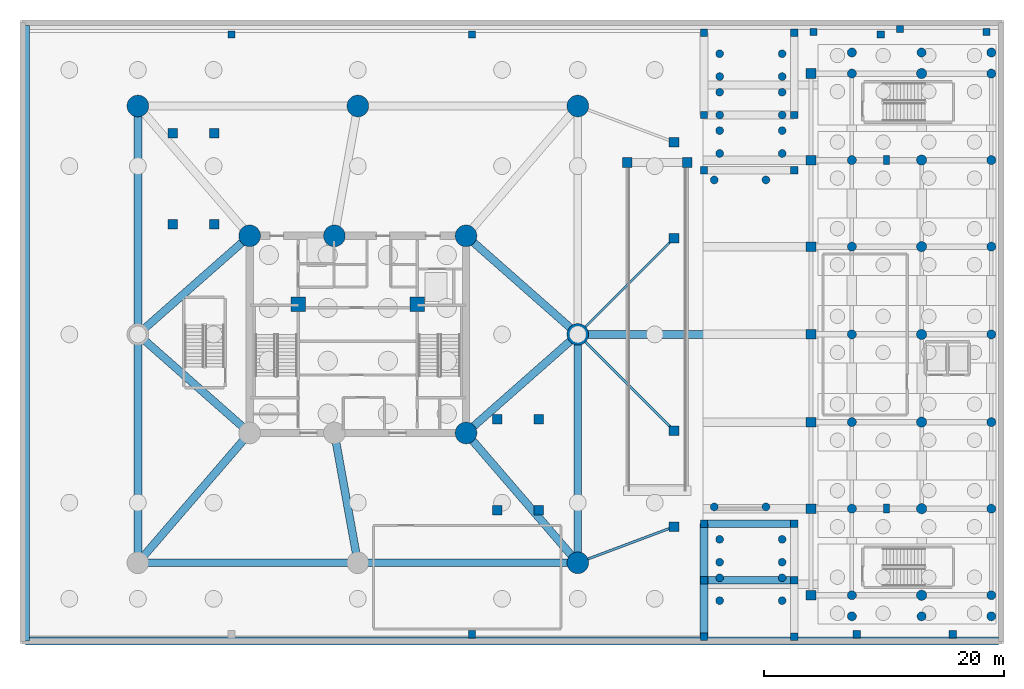
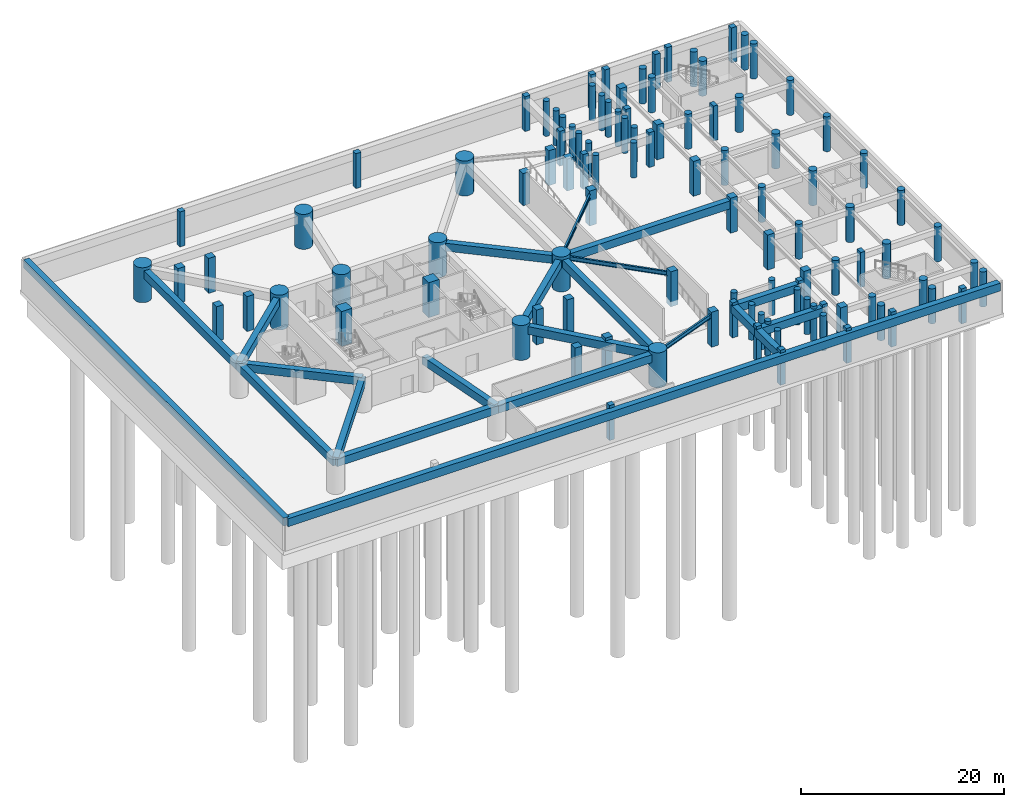
# One storey, part 2 of 13: 106 columns, 22 beams.
"""IFC4 building model written with IfcOpenShell, lengths in metres."""

from ifc_helpers import new_model, si_unit, direction, frame, origin, origin_with_axes, origin_2d, place, context, subcontext, project, spatial, rectangle, circle, i_section, extrude, source, transform, mapped, material, material_profile, profile_set, type_object, element, save


model = new_model("IFC4")

# Units and contexts
model_context = context("Model", 3, precision=1e-05, world=origin(), true_north=direction((0.0, 1.0)))
body_context = subcontext(model_context, "Body", "Model", "MODEL_VIEW")
ifc_project = project(units=[si_unit("LENGTHUNIT", "METRE"), si_unit("AREAUNIT", "SQUARE_METRE"), si_unit("VOLUMEUNIT", "CUBIC_METRE"), si_unit("PLANEANGLEUNIT", "RADIAN"), si_unit("MASSUNIT", "GRAM", prefix="KILO")], contexts=[model_context])

# Site, building, storey
site_placement = place(None, origin())
site = spatial("IfcSite", under=ifc_project, at=site_placement, CompositionType="ELEMENT")
building_placement = place(site_placement, origin())
building = spatial("IfcBuilding", under=site, at=building_placement, Name="Karkom Vertical University and Central Library", CompositionType="ELEMENT")
storey_placement = place(building_placement, frame((0.0, 0.0, -8.39990234375)))
storey = spatial("IfcBuildingStorey", under=building, at=storey_placement, Name="B02", CompositionType="ELEMENT", Elevation=-8.39990234375)

# Columns
ifc_material_1 = material(Name="Concrete C40/50", Category="concrete")
ifc_material_profile_1 = material_profile(ifc_material_1, circle(Radius=0.324951171875, at=origin_2d()), Name="RC-D650")
ifc_profile_set_1 = profile_set([ifc_material_profile_1], Name="Concrete C40/50")
column_type_1 = type_object("IfcColumnType", Name="STR-COL-C-LB3", PredefinedType="COLUMN", material=ifc_profile_set_1)
shared_shape_1 = source(origin_with_axes(), body_context, "Body", "SweptSolid", [
    extrude(circle(Radius=0.324951171875, at=origin_2d()), origin(), (0.0, 0.0, 1.0), 4.199951171875),
])
for number, where, z_axis, x_axis, name in (
    (1, (58.60009765625, 4.35009765625, 0.0), (0.0, 0.0, 1.0), (1.0, 0.0, 0.0), "Basement 02 Plaza Canopy Column 1"),
    (2, (58.60009765625, 6.25, 0.0), (0.0, 0.0, 1.0), (1.0, 0.0, 0.0), "Basement 02 Plaza Canopy Column 1"),
    (3, (63.800048828125, 4.35009765625, 0.0), (0.0, 0.0, 1.0), (1.0, 0.0, 0.0), "Basement 02 Plaza Canopy Column 1"),
    (4, (63.800048828125, 6.25, 0.0), (0.0, 0.0, 1.0), (1.0, 0.0, 0.0), "Basement 02 Plaza Canopy Column 1"),
    (5, (58.60009765625, 7.550048828125, 0.0), (0.0, 0.0, 1.0), (1.0, 0.0, 0.0), "Basement 02 Plaza Canopy Column 2"),
    (6, (58.60009765625, 9.449951171875, 0.0), (0.0, 0.0, 1.0), (1.0, 0.0, 0.0), "Basement 02 Plaza Canopy Column 2"),
    (7, (63.800048828125, 7.550048828125, 0.0), (0.0, 0.0, 1.0), (1.0, 0.0, 0.0), "Basement 02 Plaza Canopy Column 2"),
    (8, (63.800048828125, 9.449951171875, 0.0), (0.0, 0.0, 1.0), (1.0, 0.0, 0.0), "Basement 02 Plaza Canopy Column 2"),
    (9, (58.60009765625, 41.550048828125, 0.0), (0.0, 0.0, 1.0), (1.0, 0.0, 0.0), "Basement 02 Plaza Canopy Column 3"),
    (10, (58.60009765625, 43.449951171875, 0.0), (0.0, 0.0, 1.0), (1.0, 0.0, 0.0), "Basement 02 Plaza Canopy Column 3"),
    (11, (63.800048828125, 41.550048828125, 0.0), (0.0, 0.0, 1.0), (1.0, 0.0, 0.0), "Basement 02 Plaza Canopy Column 3"),
    (12, (63.800048828125, 43.449951171875, 0.0), (0.0, 0.0, 1.0), (1.0, 0.0, 0.0), "Basement 02 Plaza Canopy Column 3"),
    (13, (58.60009765625, 44.75, 0.0), (0.0, 0.0, 1.0), (1.0, 0.0, 0.0), "Basement 02 Plaza Canopy Column 4"),
    (14, (58.60009765625, 46.64990234375, 0.0), (0.0, 0.0, 1.0), (1.0, 0.0, 0.0), "Basement 02 Plaza Canopy Column 4"),
    (15, (63.800048828125, 44.75, 0.0), (0.0, 0.0, 1.0), (1.0, 0.0, 0.0), "Basement 02 Plaza Canopy Column 4"),
    (16, (63.800048828125, 46.64990234375, 0.0), (0.0, 0.0, 1.0), (1.0, 0.0, 0.0), "Basement 02 Plaza Canopy Column 4"),
    (17, (58.60009765625, 47.949951171875, 0.0), (0.0, 0.0, 1.0), (1.0, 0.0, 0.0), "Basement 02 Plaza Canopy Column 5"),
    (18, (58.60009765625, 49.85009765625, 0.0), (0.0, 0.0, 1.0), (1.0, 0.0, 0.0), "Basement 02 Plaza Canopy Column 5"),
    (19, (63.800048828125, 47.949951171875, 0.0), (0.0, 0.0, 1.0), (1.0, 0.0, 0.0), "Basement 02 Plaza Canopy Column 5"),
    (20, (63.800048828125, 49.85009765625, 0.0), (0.0, 0.0, 1.0), (1.0, 0.0, 0.0), "Basement 02 Plaza Canopy Column 5"),
    (21, (58.14990234375, 12.14990234375, 0.0), (0.0, 0.0, 1.0), (1.0, 0.0, 0.0), "Basement 02 Ramp Pavilion Support Column 1"),
    (22, (62.449951171875, 12.14990234375, 0.0), (0.0, 0.0, 1.0), (1.0, 0.0, 0.0), "Basement 02 Ramp Pavilion Support Column 2"),
    (23, (62.449951171875, 39.35009765625, 0.0), (0.0, 0.0, 1.0), (1.0, 0.0, 0.0), "Basement 02 Ramp Pavilion Support Column 3"),
    (24, (58.14990234375, 39.35009765625, 0.0), (0.0, 0.0, 1.0), (1.0, 0.0, 0.0), "Basement 02 Ramp Pavilion Support Column 4"),
):
    element("IfcColumn", number, at=place(storey_placement, frame(where, z_axis=z_axis, x_axis=x_axis)), inside=storey, type_object=column_type_1, Name=name, PredefinedType="COLUMN", context=body_context, shape_type="MappedRepresentation", body=[
        mapped(shared_shape_1, transform((0.0, 0.0, 0.0), scale=1.0)),
    ])
ifc_material_profile_2 = material_profile(ifc_material_1, circle(Radius=0.375, at=origin_2d()), Name="RC-D750")
ifc_profile_set_2 = profile_set([ifc_material_profile_2], Name="Concrete C40/50")
column_type_2 = type_object("IfcColumnType", Name="STR-COL-C-LB2", PredefinedType="COLUMN", material=ifc_profile_set_2)
shared_shape_2 = source(origin_with_axes(), body_context, "Body", "SweptSolid", [
    extrude(circle(Radius=0.375, at=origin_2d()), origin(), (0.0, 0.0, 1.0), 4.199951171875),
])
for number, where, z_axis, x_axis, name in (
    (25, (69.60009765625, 3.050048828125, 0.0), (0.0, 0.0, 1.0), (1.0, 0.0, 0.0), "Basement 02 Library Vault End Column"),
    (26, (69.60009765625, 49.949951171875, 0.0), (0.0, 0.0, 1.0), (1.0, 0.0, 0.0), "Basement 02 Library Vault End Column"),
    (27, (75.39990234375, 3.050048828125, 0.0), (0.0, 0.0, 1.0), (1.0, 0.0, 0.0), "Basement 02 Library Vault End Column"),
    (28, (75.39990234375, 49.949951171875, 0.0), (0.0, 0.0, 1.0), (1.0, 0.0, 0.0), "Basement 02 Library Vault End Column"),
    (29, (81.199951171875, 3.050048828125, 0.0), (0.0, 0.0, 1.0), (1.0, 0.0, 0.0), "Basement 02 Library Vault End Column"),
    (30, (81.199951171875, 49.949951171875, 0.0), (0.0, 0.0, 1.0), (1.0, 0.0, 0.0), "Basement 02 Library Vault End Column"),
    (31, (69.60009765625, 4.800048828125, 0.0), (0.0, 0.0, 1.0), (1.0, 0.0, 0.0), "Basement 02 Central Library Column LC-1-1"),
    (32, (69.60009765625, 12.0, 0.0), (0.0, 0.0, 1.0), (1.0, 0.0, 0.0), "Basement 02 Central Library Column LC-1-2"),
    (33, (69.60009765625, 19.199951171875, 0.0), (0.0, 0.0, 1.0), (1.0, 0.0, 0.0), "Basement 02 Central Library Column LC-1-3"),
    (34, (69.60009765625, 26.5, 0.0), (0.0, 0.0, 1.0), (1.0, 0.0, 0.0), "Basement 02 Central Library Column LC-1-4"),
    (35, (69.60009765625, 33.800048828125, 0.0), (0.0, 0.0, 1.0), (1.0, 0.0, 0.0), "Basement 02 Central Library Column LC-1-5"),
    (36, (69.60009765625, 41.0, 0.0), (0.0, 0.0, 1.0), (1.0, 0.0, 0.0), "Basement 02 Central Library Column LC-1-6"),
    (37, (69.60009765625, 48.199951171875, 0.0), (0.0, 0.0, 1.0), (1.0, 0.0, 0.0), "Basement 02 Central Library Column LC-1-7"),
    (38, (81.199951171875, 4.800048828125, 0.0), (0.0, 0.0, 1.0), (1.0, 0.0, 0.0), "Basement 02 Central Library Column LC-3-1"),
    (39, (81.199951171875, 12.0, 0.0), (0.0, 0.0, 1.0), (1.0, 0.0, 0.0), "Basement 02 Central Library Column LC-3-2"),
    (40, (81.199951171875, 19.199951171875, 0.0), (0.0, 0.0, 1.0), (1.0, 0.0, 0.0), "Basement 02 Central Library Column LC-3-3"),
    (41, (81.199951171875, 26.5, 0.0), (0.0, 0.0, 1.0), (1.0, 0.0, 0.0), "Basement 02 Central Library Column LC-3-4"),
    (42, (81.199951171875, 33.800048828125, 0.0), (0.0, 0.0, 1.0), (1.0, 0.0, 0.0), "Basement 02 Central Library Column LC-3-5"),
    (43, (81.199951171875, 41.0, 0.0), (0.0, 0.0, 1.0), (1.0, 0.0, 0.0), "Basement 02 Central Library Column LC-3-6"),
    (44, (81.199951171875, 48.199951171875, 0.0), (0.0, 0.0, 1.0), (1.0, 0.0, 0.0), "Basement 02 Central Library Column LC-3-7"),
):
    element("IfcColumn", number, at=place(storey_placement, frame(where, z_axis=z_axis, x_axis=x_axis)), inside=storey, type_object=column_type_2, Name=name, PredefinedType="COLUMN", context=body_context, shape_type="MappedRepresentation", body=[
        mapped(shared_shape_2, transform((0.0, 0.0, 0.0), scale=1.0)),
    ])
ifc_material_2 = material(Name="Concrete C45/55", Category="concrete")
ifc_material_profile_3 = material_profile(ifc_material_2, rectangle(XDim=0.800048828125, YDim=0.800048828125, at=origin_2d()), Name="RC-800x800")
ifc_profile_set_3 = profile_set([ifc_material_profile_3], Name="Concrete C45/55")
column_type_3 = type_object("IfcColumnType", Name="STR-COL-C-LC1", PredefinedType="COLUMN", material=ifc_profile_set_3)
shared_shape_3 = source(origin_with_axes(), body_context, "Body", "SweptSolid", [
    extrude(rectangle(XDim=0.800048828125, YDim=0.800048828125, at=origin_2d()), origin(), (0.0, 0.0, 1.0), 3.849853515625),
])
for number, where, z_axis, x_axis, name in (
    (45, (50.89990234375, 40.800048828125, 0.0), (0.0, 0.0, 1.0), (1.0, 0.0, 0.0), "Basement 02 Vehicle Ramp Top Bearing Column"),
    (46, (55.89990234375, 40.800048828125, 0.0), (0.0, 0.0, 1.0), (1.0, 0.0, 0.0), "Basement 02 Vehicle Ramp Top Bearing Column"),
):
    element("IfcColumn", number, at=place(storey_placement, frame(where, z_axis=z_axis, x_axis=x_axis)), inside=storey, type_object=column_type_3, Name=name, PredefinedType="COLUMN", context=body_context, shape_type="MappedRepresentation", body=[
        mapped(shared_shape_3, transform((0.0, 0.0, 0.0), scale=1.0)),
    ])
shared_shape_4 = source(origin_with_axes(), body_context, "Body", "SweptSolid", [
    extrude(rectangle(XDim=0.800048828125, YDim=0.800048828125, at=origin_2d()), origin(), (0.0, 0.0, 1.0), 4.199951171875),
])
for number, where, z_axis, x_axis, name in (
    (47, (40.094970703125, 11.875, 0.0), (0.0, 0.0, 1.0), (1.0, 0.0, 0.0), "Basement 02 Podium Stairwell Support Column"),
    (48, (43.56494140625, 11.875, 0.0), (0.0, 0.0, 1.0), (1.0, 0.0, 0.0), "Basement 02 Podium Stairwell Support Column"),
    (49, (40.094970703125, 19.43505859375, 0.0), (0.0, 0.0, 1.0), (1.0, 0.0, 0.0), "Basement 02 Podium Stairwell Support Column"),
    (50, (43.56494140625, 19.43505859375, 0.0), (0.0, 0.0, 1.0), (1.0, 0.0, 0.0), "Basement 02 Podium Stairwell Support Column"),
    (51, (13.094970703125, 35.675048828125, 0.0), (0.0, 0.0, 1.0), (1.0, 0.0, 0.0), "Basement 02 Podium Stairwell Support Column"),
    (52, (16.56494140625, 35.675048828125, 0.0), (0.0, 0.0, 1.0), (1.0, 0.0, 0.0), "Basement 02 Podium Stairwell Support Column"),
    (53, (13.094970703125, 43.235107421875, 0.0), (0.0, 0.0, 1.0), (1.0, 0.0, 0.0), "Basement 02 Podium Stairwell Support Column"),
    (54, (16.56494140625, 43.235107421875, 0.0), (0.0, 0.0, 1.0), (1.0, 0.0, 0.0), "Basement 02 Podium Stairwell Support Column"),
    (55, (54.800048828125, 10.5, 0.0), (0.0, 0.0, 1.0), (1.0, 0.0, 0.0), "Basement 02 Podium Arcade Pilaster PIL-1"),
    (56, (54.800048828125, 18.5, 0.0), (0.0, 0.0, 1.0), (1.0, 0.0, 0.0), "Basement 02 Podium Arcade Pilaster PIL-2"),
    (57, (54.800048828125, 34.5, 0.0), (0.0, 0.0, 1.0), (1.0, 0.0, 0.0), "Basement 02 Podium Arcade Pilaster PIL-3"),
    (58, (54.800048828125, 42.5, 0.0), (0.0, 0.0, 1.0), (1.0, 0.0, 0.0), "Basement 02 Podium Arcade Pilaster PIL-4"),
    (59, (66.199951171875, 4.800048828125, 0.0), (0.0, 0.0, 1.0), (1.0, 0.0, 0.0), "Basement 02 Central Library Column LC-0-1"),
    (60, (66.199951171875, 12.0, 0.0), (0.0, 0.0, 1.0), (1.0, 0.0, 0.0), "Basement 02 Central Library Column LC-0-2"),
    (61, (66.199951171875, 19.199951171875, 0.0), (0.0, 0.0, 1.0), (1.0, 0.0, 0.0), "Basement 02 Central Library Column LC-0-3"),
    (62, (66.199951171875, 26.5, 0.0), (0.0, 0.0, 1.0), (1.0, 0.0, 0.0), "Basement 02 Central Library Column LC-0-4"),
    (63, (66.199951171875, 33.800048828125, 0.0), (0.0, 0.0, 1.0), (1.0, 0.0, 0.0), "Basement 02 Central Library Column LC-0-5"),
    (64, (66.199951171875, 41.0, 0.0), (0.0, 0.0, 1.0), (1.0, 0.0, 0.0), "Basement 02 Central Library Column LC-0-6"),
    (65, (66.199951171875, 48.199951171875, 0.0), (0.0, 0.0, 1.0), (1.0, 0.0, 0.0), "Basement 02 Central Library Column LC-0-7"),
):
    element("IfcColumn", number, at=place(storey_placement, frame(where, z_axis=z_axis, x_axis=x_axis)), inside=storey, type_object=column_type_3, Name=name, PredefinedType="COLUMN", context=body_context, shape_type="MappedRepresentation", body=[
        mapped(shared_shape_4, transform((0.0, 0.0, 0.0), scale=1.0)),
    ])
ifc_material_profile_4 = material_profile(ifc_material_1, rectangle(XDim=0.60009765625, YDim=0.60009765625, at=origin_2d()), Name="RC-600x600")
ifc_profile_set_4 = profile_set([ifc_material_profile_4], Name="Concrete C40/50")
column_type_4 = type_object("IfcColumnType", Name="STR-COL-C-LC2", PredefinedType="COLUMN", material=ifc_profile_set_4)
shared_shape_5 = source(origin_with_axes(), body_context, "Body", "SweptSolid", [
    extrude(rectangle(XDim=0.60009765625, YDim=0.60009765625, at=origin_2d()), origin(), (0.0, 0.0, 1.0), 4.199951171875),
])
for number, where, z_axis, x_axis, name in (
    (66, (38.0, 1.550048828125, 0.0), (0.0, 0.0, 1.0), (1.0, 0.0, 0.0), "Basement 02 Forecourt Promenade Support Column"),
    (67, (70.0, 1.550048828125, 0.0), (0.0, 0.0, 1.0), (1.0, 0.0, 0.0), "Basement 02 Forecourt Promenade Support Column"),
    (68, (78.0, 1.550048828125, 0.0), (0.0, 0.0, 1.0), (1.0, 0.0, 0.0), "Basement 02 Forecourt Promenade Support Column"),
    (69, (18.0, 51.449951171875, 0.0), (0.0, 0.0, 1.0), (1.0, 0.0, 0.0), "Basement 02 Forecourt Promenade Support Column"),
    (70, (38.0, 51.449951171875, 0.0), (0.0, 0.0, 1.0), (1.0, 0.0, 0.0), "Basement 02 Forecourt Promenade Support Column"),
    (71, (72.0, 51.449951171875, 0.0), (0.0, 0.0, 1.0), (1.0, 0.0, 0.0), "Basement 02 Forecourt Promenade Support Column"),
    (72, (57.300048828125, 1.35009765625, 0.0), (0.0, 0.0, 1.0), (1.0, 0.0, 0.0), "Basement 02 Forecourt Substructure Column"),
    (73, (57.300048828125, 6.050048828125, 0.0), (0.0, 0.0, 1.0), (1.0, 0.0, 0.0), "Basement 02 Forecourt Substructure Column"),
    (74, (57.300048828125, 10.75, 0.0), (0.0, 0.0, 1.0), (1.0, 0.0, 0.0), "Basement 02 Forecourt Substructure Column"),
    (75, (57.300048828125, 40.14990234375, 0.0), (0.0, 0.0, 1.0), (1.0, 0.0, 0.0), "Basement 02 Forecourt Substructure Column"),
    (76, (57.300048828125, 44.75, 0.0), (0.0, 0.0, 1.0), (1.0, 0.0, 0.0), "Basement 02 Forecourt Substructure Column"),
    (77, (57.300048828125, 51.60009765625, 0.0), (0.0, 0.0, 1.0), (1.0, 0.0, 0.0), "Basement 02 Forecourt Substructure Column"),
    (78, (64.800048828125, 1.35009765625, 0.0), (0.0, 0.0, 1.0), (1.0, 0.0, 0.0), "Basement 02 Forecourt Substructure Column"),
    (79, (64.800048828125, 6.050048828125, 0.0), (0.0, 0.0, 1.0), (1.0, 0.0, 0.0), "Basement 02 Forecourt Substructure Column"),
    (80, (64.800048828125, 10.75, 0.0), (0.0, 0.0, 1.0), (1.0, 0.0, 0.0), "Basement 02 Forecourt Substructure Column"),
    (81, (64.800048828125, 40.14990234375, 0.0), (0.0, 0.0, 1.0), (1.0, 0.0, 0.0), "Basement 02 Forecourt Substructure Column"),
    (82, (64.800048828125, 44.75, 0.0), (0.0, 0.0, 1.0), (1.0, 0.0, 0.0), "Basement 02 Forecourt Substructure Column"),
    (83, (64.800048828125, 51.60009765625, 0.0), (0.0, 0.0, 1.0), (1.0, 0.0, 0.0), "Basement 02 Forecourt Substructure Column"),
    (84, (66.39990234375, 51.64990234375, 0.0), (0.0, 0.0, 1.0), (1.0, 0.0, 0.0), "Basement 02 North Library Forecourt Pier 1"),
    (85, (73.60009765625, 51.89990234375, 0.0), (0.0, 0.0, 1.0), (1.0, 0.0, 0.0), "Basement 02 North Library Forecourt Pier 2"),
    (86, (80.800048828125, 51.64990234375, 0.0), (0.0, 0.0, 1.0), (1.0, 0.0, 0.0), "Basement 02 North Library Forecourt Pier 3"),
):
    element("IfcColumn", number, at=place(storey_placement, frame(where, z_axis=z_axis, x_axis=x_axis)), inside=storey, type_object=column_type_4, Name=name, PredefinedType="COLUMN", context=body_context, shape_type="MappedRepresentation", body=[
        mapped(shared_shape_5, transform((0.0, 0.0, 0.0), scale=1.0)),
    ])
ifc_material_3 = material(Name="Concrete C50/60", Category="concrete")
ifc_material_profile_5 = material_profile(ifc_material_3, circle(Radius=0.89990234375, at=origin_2d()), Name="CFT-D1800")
ifc_profile_set_5 = profile_set([ifc_material_profile_5], Name="Concrete C50/60")
column_type_5 = type_object("IfcColumnType", Name="STR-COL-C-SC1", PredefinedType="COLUMN", material=ifc_profile_set_5)
shared_shape_6 = source(origin_with_axes(), body_context, "Body", "SweptSolid", [
    extrude(circle(Radius=0.89990234375, at=origin_2d()), origin(), (0.0, 0.0, 1.0), 4.199951171875),
])
for number, where, z_axis, x_axis, name in (
    (87, (37.5, 18.300048828125, 0.0), (0.0, 0.0, 1.0), (1.0, 0.0, 0.0), "Basement 02 Spine Mega-Column SC-3"),
    (88, (19.5, 34.699951171875, 0.0), (0.0, 0.0, 1.0), (1.0, 0.0, 0.0), "Basement 02 Spine Mega-Column SC-4"),
    (89, (26.550048828125, 34.699951171875, 0.0), (0.0, 0.0, 1.0), (1.0, 0.0, 0.0), "Basement 02 Spine Mega-Column SC-5"),
    (90, (37.5, 34.699951171875, 0.0), (0.0, 0.0, 1.0), (1.0, 0.0, 0.0), "Basement 02 Spine Mega-Column SC-6"),
    (91, (46.800048828125, 7.5, 0.0), (0.0, 0.0, 1.0), (1.0, 0.0, 0.0), "Basement 02 Podium Mega-Column PMC-3"),
    (92, (46.800048828125, 26.5, 0.0), (0.0, 0.0, 1.0), (1.0, 0.0, 0.0), "Basement 02 Podium Mega-Column PMC-5"),
    (93, (10.199951171875, 45.5, 0.0), (0.0, 0.0, 1.0), (1.0, 0.0, 0.0), "Basement 02 Podium Mega-Column PMC-6"),
    (94, (28.5, 45.5, 0.0), (0.0, 0.0, 1.0), (1.0, 0.0, 0.0), "Basement 02 Podium Mega-Column PMC-7"),
    (95, (46.800048828125, 45.5, 0.0), (0.0, 0.0, 1.0), (1.0, 0.0, 0.0), "Basement 02 Podium Mega-Column PMC-8"),
):
    element("IfcColumn", number, at=place(storey_placement, frame(where, z_axis=z_axis, x_axis=x_axis)), inside=storey, type_object=column_type_5, Name=name, PredefinedType="COLUMN", context=body_context, shape_type="MappedRepresentation", body=[
        mapped(shared_shape_6, transform((0.0, 0.0, 0.0), scale=1.0)),
    ])
ifc_material_profile_6 = material_profile(ifc_material_3, rectangle(XDim=1.199951171875, YDim=1.199951171875, at=origin_2d()), Name="RC-1200x1200")
ifc_profile_set_6 = profile_set([ifc_material_profile_6], Name="Concrete C50/60")
column_type_6 = type_object("IfcColumnType", Name="STR-COL-C-CC1", PredefinedType="COLUMN", material=ifc_profile_set_6)
shared_shape_7 = source(origin_with_axes(), body_context, "Body", "SweptSolid", [
    extrude(rectangle(XDim=1.199951171875, YDim=1.199951171875, at=origin_2d()), origin(), (0.0, 0.0, 1.0), 4.199951171875),
])
for number, where, z_axis, x_axis, name in (
    (96, (23.550048828125, 29.0, 0.0), (0.0, 0.0, 1.0), (1.0, 0.0, 0.0), "Basement 02 Core Node Column CC-1"),
    (97, (33.449951171875, 29.0, 0.0), (0.0, 0.0, 1.0), (1.0, 0.0, 0.0), "Basement 02 Core Node Column CC-2"),
):
    element("IfcColumn", number, at=place(storey_placement, frame(where, z_axis=z_axis, x_axis=x_axis)), inside=storey, type_object=column_type_6, Name=name, PredefinedType="COLUMN", context=body_context, shape_type="MappedRepresentation", body=[
        mapped(shared_shape_7, transform((0.0, 0.0, 0.0), scale=1.0)),
    ])
ifc_material_profile_7 = material_profile(ifc_material_2, circle(Radius=0.425048828125, at=origin_2d()), Name="RC-D850")
ifc_profile_set_7 = profile_set([ifc_material_profile_7], Name="Concrete C45/55")
column_type_7 = type_object("IfcColumnType", Name="STR-COL-C-LB1", PredefinedType="COLUMN", material=ifc_profile_set_7)
shared_shape_8 = source(origin_with_axes(), body_context, "Body", "SweptSolid", [
    extrude(circle(Radius=0.425048828125, at=origin_2d()), origin(), (0.0, 0.0, 1.0), 4.199951171875),
])
for number, where, z_axis, x_axis, name in (
    (98, (75.39990234375, 4.800048828125, 0.0), (0.0, 0.0, 1.0), (1.0, 0.0, 0.0), "Basement 02 Central Library Column LC-2-1"),
    (99, (75.39990234375, 12.0, 0.0), (0.0, 0.0, 1.0), (1.0, 0.0, 0.0), "Basement 02 Central Library Column LC-2-2"),
    (100, (75.39990234375, 19.199951171875, 0.0), (0.0, 0.0, 1.0), (1.0, 0.0, 0.0), "Basement 02 Central Library Column LC-2-3"),
    (101, (75.39990234375, 26.5, 0.0), (0.0, 0.0, 1.0), (1.0, 0.0, 0.0), "Basement 02 Central Library Column LC-2-4"),
    (102, (75.39990234375, 33.800048828125, 0.0), (0.0, 0.0, 1.0), (1.0, 0.0, 0.0), "Basement 02 Central Library Column LC-2-5"),
    (103, (75.39990234375, 41.0, 0.0), (0.0, 0.0, 1.0), (1.0, 0.0, 0.0), "Basement 02 Central Library Column LC-2-6"),
    (104, (75.39990234375, 48.199951171875, 0.0), (0.0, 0.0, 1.0), (1.0, 0.0, 0.0), "Basement 02 Central Library Column LC-2-7"),
):
    element("IfcColumn", number, at=place(storey_placement, frame(where, z_axis=z_axis, x_axis=x_axis)), inside=storey, type_object=column_type_7, Name=name, PredefinedType="COLUMN", context=body_context, shape_type="MappedRepresentation", body=[
        mapped(shared_shape_8, transform((0.0, 0.0, 0.0), scale=1.0)),
    ])
ifc_material_4 = material(Name="Precast concrete C45/55", Category="concrete")
ifc_material_profile_8 = material_profile(ifc_material_4, rectangle(XDim=0.5, YDim=0.75, at=origin_2d()), Name="PIL-500x750")
ifc_profile_set_8 = profile_set([ifc_material_profile_8], Name="Precast concrete C45/55")
column_type_8 = type_object("IfcColumnType", Name="STR-COL-PL-SKG1", PredefinedType="PILASTER", material=ifc_profile_set_8)
shared_shape_9 = source(origin_with_axes(), body_context, "Body", "SweptSolid", [
    extrude(rectangle(XDim=0.5, YDim=0.75, at=origin_2d()), origin(), (0.0, 0.0, 1.0), 4.199951171875),
])
for number, where, z_axis, x_axis, name in (
    (105, (72.5, 12.0, 0.0), (0.0, 0.0, 1.0), (1.0, 0.0, 0.0), "Basement 02 Library Reading Hall Pier Pilaster 1"),
    (106, (72.5, 41.0, 0.0), (0.0, 0.0, 1.0), (1.0, 0.0, 0.0), "Basement 02 Library Reading Hall Pier Pilaster 2"),
):
    element("IfcColumn", number, at=place(storey_placement, frame(where, z_axis=z_axis, x_axis=x_axis)), inside=storey, type_object=column_type_8, Name=name, PredefinedType="PILASTER", context=body_context, shape_type="MappedRepresentation", body=[
        mapped(shared_shape_9, transform((0.0, 0.0, 0.0), scale=1.0)),
    ])

# Beams
ifc_material_profile_9 = material_profile(ifc_material_3, rectangle(XDim=0.64990234375, YDim=0.949951171875, at=origin_2d()), Name="RCG-650x950")
ifc_profile_set_9 = profile_set([ifc_material_profile_9], Name="Concrete C50/60")
beam_type_1 = type_object("IfcBeamType", Name="STR-BM-BG-1", PredefinedType="USERDEFINED", material=ifc_profile_set_9)
shared_shape_10 = source(origin_with_axes(), body_context, "Body", "SweptSolid", [
    extrude(rectangle(XDim=0.64990234375, YDim=0.949951171875, at=origin_2d()), origin(), (0.0, 0.0, 1.0), 18.300048828125),
])
for number, where, z_axis, x_axis, name in (
    (107, (10.199951171875, 7.5, 3.375), (1.0, 0.0, 0.0), (0.0, 1.0, 0.0), "Basement 02 Podium Primary Girder 01"),
    (108, (28.5, 7.5, 3.375), (1.0, 0.0, 0.0), (0.0, 1.0, 0.0), "Basement 02 Podium Primary Girder 02"),
):
    element("IfcBeam", number, at=place(storey_placement, frame(where, z_axis=z_axis, x_axis=x_axis)), inside=storey, type_object=beam_type_1, Name=name, ObjectType="GIRDER", PredefinedType="USERDEFINED", context=body_context, shape_type="MappedRepresentation", body=[
        mapped(shared_shape_10, transform((0.0, 0.0, 0.0), scale=1.0)),
    ])
shared_shape_11 = source(origin_with_axes(), body_context, "Body", "SweptSolid", [
    extrude(rectangle(XDim=0.64990234375, YDim=0.949951171875, at=origin_2d()), origin(), (0.0, 0.0, 1.0), 19.0),
])
for number, where, z_axis, x_axis, name in (
    (109, (10.199951171875, 7.5, 3.375), (0.0, 1.0, 0.0), (-1.0, 0.0, 0.0), "Basement 02 Podium Primary Girder 03"),
    (110, (10.199951171875, 26.5, 3.375), (0.0, 1.0, 0.0), (-1.0, 0.0, 0.0), "Basement 02 Podium Primary Girder 04"),
    (111, (46.800048828125, 7.5, 3.375), (0.0, 1.0, 0.0), (-1.0, 0.0, 0.0), "Basement 02 Podium Primary Girder 05"),
):
    element("IfcBeam", number, at=place(storey_placement, frame(where, z_axis=z_axis, x_axis=x_axis)), inside=storey, type_object=beam_type_1, Name=name, ObjectType="GIRDER", PredefinedType="USERDEFINED", context=body_context, shape_type="MappedRepresentation", body=[
        mapped(shared_shape_11, transform((0.0, 0.0, 0.0), scale=1.0)),
    ])
shared_shape_12 = source(origin_with_axes(), body_context, "Body", "SweptSolid", [
    extrude(rectangle(XDim=0.64990234375, YDim=0.949951171875, at=origin_2d()), origin(), (0.0, 0.0, 1.0), 14.25244140625),
])
for number, where, z_axis, x_axis, name in (
    (112, (10.199951171875, 7.5, 3.375), (0.652523408586, 0.757768567076, 0.0), (-0.757768567076, 0.652523408586, 0.0), "Basement 02 Podium Primary Girder 09"),
    (113, (46.800048828125, 7.5, 3.375), (-0.652523408586, 0.757768567076, 0.0), (-0.757768567076, -0.652523408586, 0.0), "Basement 02 Podium Primary Girder 11"),
):
    element("IfcBeam", number, at=place(storey_placement, frame(where, z_axis=z_axis, x_axis=x_axis)), inside=storey, type_object=beam_type_1, Name=name, ObjectType="GIRDER", PredefinedType="USERDEFINED", context=body_context, shape_type="MappedRepresentation", body=[
        mapped(shared_shape_12, transform((0.0, 0.0, 0.0), scale=1.0)),
    ])
shared_shape_13 = source(origin_with_axes(), body_context, "Body", "SweptSolid", [
    extrude(rectangle(XDim=0.64990234375, YDim=0.949951171875, at=origin_2d()), origin(), (0.0, 0.0, 1.0), 10.974609375),
])
beam_1_placement = place(storey_placement, frame((28.5, 7.5, 3.375), z_axis=(-0.177677443813, 0.984088779511, 0.0), x_axis=(-0.984088779511, -0.177677443813, 0.0)))
element("IfcBeam", 114, at=beam_1_placement, inside=storey, type_object=beam_type_1, Name="Basement 02 Podium Primary Girder 10", ObjectType="GIRDER", PredefinedType="USERDEFINED", context=body_context, shape_type="MappedRepresentation", body=[
    mapped(shared_shape_13, transform((0.0, 0.0, 0.0), scale=1.0)),
])
shared_shape_14 = source(origin_with_axes(), body_context, "Body", "SweptSolid", [
    extrude(rectangle(XDim=0.64990234375, YDim=0.949951171875, at=origin_2d()), origin(), (0.0, 0.0, 1.0), 12.398681640625),
])
for number, where, z_axis, x_axis, name in (
    (115, (10.199951171875, 26.5, 3.375), (0.75007685274, -0.661350674743, 0.0), (0.661350674743, 0.75007685274, 0.0), "Basement 02 Podium Primary Girder 15"),
    (116, (10.199951171875, 26.5, 3.375), (0.75007685274, 0.661350674743, 0.0), (-0.661350674743, 0.75007685274, 0.0), "Basement 02 Podium Primary Girder 16"),
    (117, (46.800048828125, 26.5, 3.375), (-0.75007685274, -0.661350674743, 0.0), (0.661350674743, -0.75007685274, 0.0), "Basement 02 Podium Primary Girder 17"),
    (118, (46.800048828125, 26.5, 3.375), (-0.75007685274, 0.661350674743, 0.0), (-0.661350674743, -0.75007685274, 0.0), "Basement 02 Podium Primary Girder 18"),
):
    element("IfcBeam", number, at=place(storey_placement, frame(where, z_axis=z_axis, x_axis=x_axis)), inside=storey, type_object=beam_type_1, Name=name, ObjectType="GIRDER", PredefinedType="USERDEFINED", context=body_context, shape_type="MappedRepresentation", body=[
        mapped(shared_shape_14, transform((0.0, 0.0, 0.0), scale=1.0)),
    ])
ifc_material_5 = material(Name="Steel S355", Category="steel")
ifc_material_profile_10 = material_profile(ifc_material_5, i_section(OverallWidth=0.199951171875, OverallDepth=0.5, WebThickness=0.01025390625, FlangeThickness=0.01611328125, FilletRadius=0.02099609375, at=origin_2d()), Name="IPE 500")
ifc_profile_set_10 = profile_set([ifc_material_profile_10], Name="Steel S355")
beam_type_2 = type_object("IfcBeamType", Name="STR-BM-SB-IPE500", PredefinedType="BEAM", material=ifc_profile_set_10)
shared_shape_15 = source(origin_with_axes(), body_context, "Body", "SweptSolid", [
    extrude(i_section(OverallWidth=0.199951171875, OverallDepth=0.5, WebThickness=0.01025390625, FlangeThickness=0.01611328125, FilletRadius=0.02099609375, at=origin_2d()), origin(), (0.0, 0.0, 1.0), 8.5439453125),
])
beam_2_placement = place(storey_placement, frame((46.800048828125, 7.5, 3.599853515625), z_axis=(0.936329177569, 0.351123441588, 0.0), x_axis=(-0.351123441588, 0.936329177569, 0.0)))
element("IfcBeam", 119, at=beam_2_placement, inside=storey, type_object=beam_type_2, Name="Basement 02 Arcade Tie Beam 1", PredefinedType="BEAM", context=body_context, shape_type="MappedRepresentation", body=[
    mapped(shared_shape_15, transform((0.0, 0.0, 0.0), scale=1.0)),
])
shared_shape_16 = source(origin_with_axes(), body_context, "Body", "SweptSolid", [
    extrude(i_section(OverallWidth=0.199951171875, OverallDepth=0.5, WebThickness=0.01025390625, FlangeThickness=0.01611328125, FilletRadius=0.02099609375, at=origin_2d()), origin(), (0.0, 0.0, 1.0), 11.313720703125),
])
for number, where, z_axis, x_axis, name in (
    (120, (46.800048828125, 26.5, 3.599853515625), (0.707106781187, -0.707106781187, 0.0), (0.707106781187, 0.707106781187, 0.0), "Basement 02 Arcade Tie Beam 2"),
    (121, (46.800048828125, 26.5, 3.599853515625), (0.707106781187, 0.707106781187, 0.0), (-0.707106781187, 0.707106781187, 0.0), "Basement 02 Arcade Tie Beam 3"),
):
    element("IfcBeam", number, at=place(storey_placement, frame(where, z_axis=z_axis, x_axis=x_axis)), inside=storey, type_object=beam_type_2, Name=name, PredefinedType="BEAM", context=body_context, shape_type="MappedRepresentation", body=[
        mapped(shared_shape_16, transform((0.0, 0.0, 0.0), scale=1.0)),
    ])
shared_shape_17 = source(origin_with_axes(), body_context, "Body", "SweptSolid", [
    extrude(rectangle(XDim=0.64990234375, YDim=0.949951171875, at=origin_2d()), origin(), (0.0, 0.0, 1.0), 19.39990234375),
])
beam_3_placement = place(storey_placement, frame((46.800048828125, 26.5, 3.375), z_axis=(1.0, 0.0, 0.0), x_axis=(0.0, 1.0, 0.0)))
element("IfcBeam", 122, at=beam_3_placement, inside=storey, type_object=beam_type_1, Name="Basement 02 Substructure Tie Girder 2", ObjectType="GIRDER", PredefinedType="USERDEFINED", context=body_context, shape_type="MappedRepresentation", body=[
    mapped(shared_shape_17, transform((0.0, 0.0, 0.0), scale=1.0)),
])
shared_shape_18 = source(origin_with_axes(), body_context, "Body", "SweptSolid", [
    extrude(rectangle(XDim=0.64990234375, YDim=0.949951171875, at=origin_2d()), origin(), (0.0, 0.0, 1.0), 51.199951171875),
])
beam_4_placement = place(storey_placement, frame((0.85009765625, 1.0, 3.375), z_axis=(0.0, 1.0, 0.0), x_axis=(-1.0, 0.0, 0.0)))
element("IfcBeam", 123, at=beam_4_placement, inside=storey, type_object=beam_type_1, Name="Basement 02 West Perimeter Rim Girder", ObjectType="GIRDER", PredefinedType="USERDEFINED", context=body_context, shape_type="MappedRepresentation", body=[
    mapped(shared_shape_18, transform((0.0, 0.0, 0.0), scale=1.0)),
])
shared_shape_19 = source(origin_with_axes(), body_context, "Body", "SweptSolid", [
    extrude(rectangle(XDim=0.64990234375, YDim=0.949951171875, at=origin_2d()), origin(), (0.0, 0.0, 1.0), 80.949951171875),
])
beam_5_placement = place(storey_placement, frame((0.85009765625, 1.0, 3.375), z_axis=(1.0, 0.0, 0.0), x_axis=(0.0, 1.0, 0.0)))
element("IfcBeam", 124, at=beam_5_placement, inside=storey, type_object=beam_type_1, Name="Basement 02 South Perimeter Rim Girder", ObjectType="GIRDER", PredefinedType="USERDEFINED", context=body_context, shape_type="MappedRepresentation", body=[
    mapped(shared_shape_19, transform((0.0, 0.0, 0.0), scale=1.0)),
])
shared_shape_20 = source(origin_with_axes(), body_context, "Body", "SweptSolid", [
    extrude(rectangle(XDim=0.64990234375, YDim=0.949951171875, at=origin_2d()), origin(), (0.0, 0.0, 1.0), 4.699951171875),
])
for number, where, z_axis, x_axis, name in (
    (125, (57.300048828125, 1.35009765625, 3.375), (0.0, 1.0, 0.0), (-1.0, 0.0, 0.0), "Basement 02 Forecourt Longitudinal Girder 1.1"),
    (126, (57.300048828125, 6.050048828125, 3.375), (0.0, 1.0, 0.0), (-1.0, 0.0, 0.0), "Basement 02 Forecourt Longitudinal Girder 1.2"),
):
    element("IfcBeam", number, at=place(storey_placement, frame(where, z_axis=z_axis, x_axis=x_axis)), inside=storey, type_object=beam_type_1, Name=name, ObjectType="GIRDER", PredefinedType="USERDEFINED", context=body_context, shape_type="MappedRepresentation", body=[
        mapped(shared_shape_20, transform((0.0, 0.0, 0.0), scale=1.0)),
    ])
shared_shape_21 = source(origin_with_axes(), body_context, "Body", "SweptSolid", [
    extrude(rectangle(XDim=0.64990234375, YDim=0.949951171875, at=origin_2d()), origin(), (0.0, 0.0, 1.0), 7.5),
])
for number, where, z_axis, x_axis, name in (
    (127, (57.300048828125, 6.050048828125, 3.375), (1.0, 0.0, 0.0), (0.0, 1.0, 0.0), "Basement 02 Forecourt Transverse Girder 2"),
    (128, (57.300048828125, 10.75, 3.375), (1.0, 0.0, 0.0), (0.0, 1.0, 0.0), "Basement 02 Forecourt Transverse Girder 3"),
):
    element("IfcBeam", number, at=place(storey_placement, frame(where, z_axis=z_axis, x_axis=x_axis)), inside=storey, type_object=beam_type_1, Name=name, ObjectType="GIRDER", PredefinedType="USERDEFINED", context=body_context, shape_type="MappedRepresentation", body=[
        mapped(shared_shape_21, transform((0.0, 0.0, 0.0), scale=1.0)),
    ])

save(model, "model.ifc")
